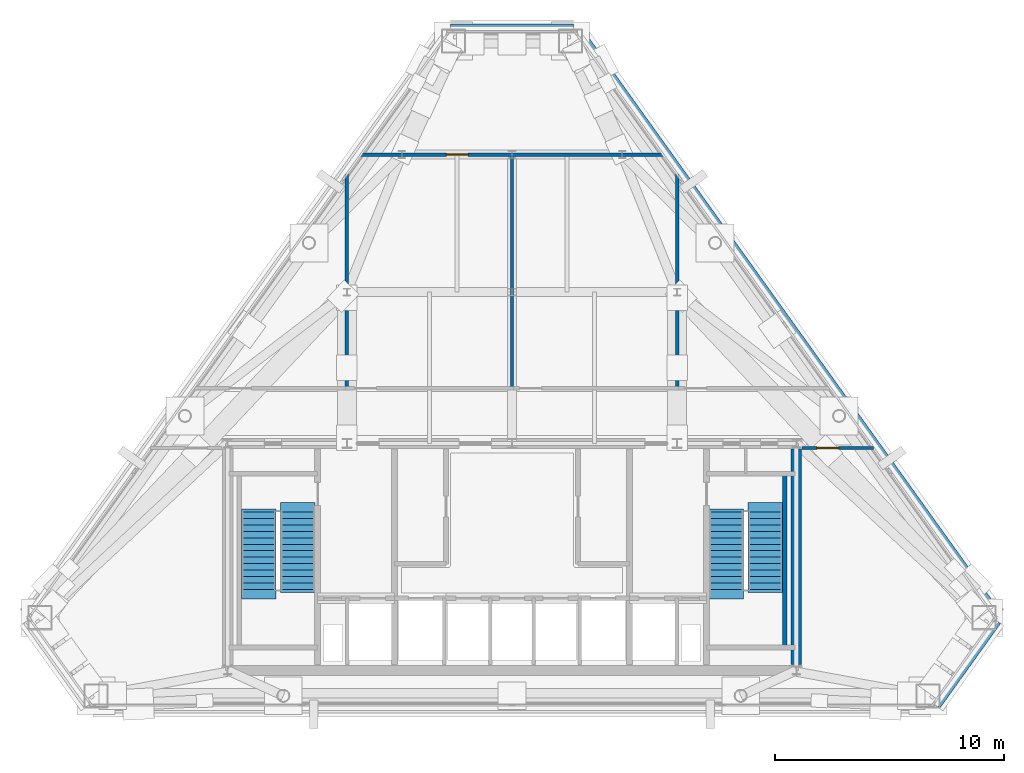
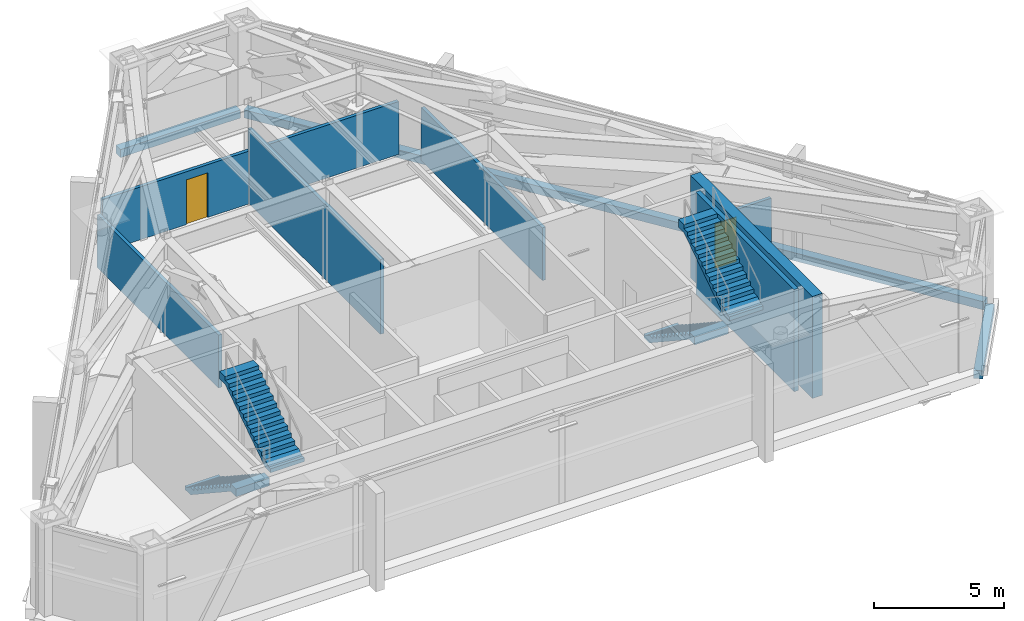
# One storey, part 7 of 9: 11 walls, 4 stair flights, 2 doors, 2 openings, 2 elements without a shape of their own.
"""IFC4 building model written with IfcOpenShell, lengths in metres."""

from ifc_helpers import new_model, si_unit, direction, frame, frame_2d, origin, place, context, subcontext, project, spatial, polyline, rectangle, outline, extrude, material, layer, layer_set, type_object, element, fill, aggregate, save


model = new_model("IFC4")

# Units and contexts
model_context = context("Model", 3, precision=1e-05, world=origin(), true_north=direction((0.0, 1.0)))
body_context = subcontext(model_context, "Body", "Model", "MODEL_VIEW")
ifc_project = project(units=[si_unit("LENGTHUNIT", "METRE"), si_unit("AREAUNIT", "SQUARE_METRE"), si_unit("VOLUMEUNIT", "CUBIC_METRE"), si_unit("PLANEANGLEUNIT", "RADIAN"), si_unit("MASSUNIT", "GRAM", prefix="KILO")], contexts=[model_context])

# Site, building, storey
site_placement = place(None, origin())
site = spatial("IfcSite", under=ifc_project, at=site_placement, CompositionType="ELEMENT")
building_placement = place(site_placement, origin())
building = spatial("IfcBuilding", under=site, at=building_placement, Name="Talgorran Terracotta Tower", CompositionType="ELEMENT")
storey_placement = place(building_placement, frame((0.0, 0.0, 244.199951171875)))
storey = spatial("IfcBuildingStorey", under=building, at=storey_placement, Name="L64", CompositionType="ELEMENT", Elevation=244.199951171875)

# Walls
ifc_material_1 = material(Name="Concrete C50/60", Category="concrete")
ifc_layer_1 = layer(ifc_material_1, 0.199951171875, Name="WT_CORE_200")
ifc_layer_set_1 = layer_set([ifc_layer_1], Name="Concrete C50/60")
wall_type_1 = type_object("IfcWallType", Name="WT_CORE_200", PredefinedType="SOLIDWALL", material=ifc_layer_set_1)
wall_1_placement = place(storey_placement, frame((11.89990234375, -13.10009765625, 0.0), z_axis=(0.0, 0.0, 1.0), x_axis=(0.0, 1.0, 0.0)))
element("IfcWall", 1, at=wall_1_placement, inside=storey, type_object=wall_type_1, Name="WL-L64-CW-ST2-E", PredefinedType="SOLIDWALL", context=body_context, shape_type="SweptSolid", body=[
    extrude(rectangle(XDim=7.580078125, YDim=0.199951171875, at=frame_2d((3.7900390625, 0.0))), origin(), (0.0, 0.0, 1.0), 4.800048828125),
])
ifc_material_2 = material(Name="Concrete C65/80", Category="concrete")
ifc_layer_2 = layer(ifc_material_2, 0.449951171875, Name="WT_CORE_EXT")
ifc_layer_set_2 = layer_set([ifc_layer_2], Name="Concrete C65/80")
wall_type_2 = type_object("IfcWallType", Name="WT_CORE_EXT", PredefinedType="SHEAR", material=ifc_layer_set_2)
wall_2_placement = place(storey_placement, frame((12.39990234375, -13.85009765625, 0.0), z_axis=(0.0, 0.0, 1.0), x_axis=(0.0, 1.0, 0.0)))
element("IfcWall", 2, at=wall_2_placement, inside=storey, type_object=wall_type_2, Name="WL-L64-CW-OUT-E", PredefinedType="SHEAR", context=body_context, shape_type="SweptSolid", body=[
    extrude(rectangle(XDim=9.400146484375, YDim=0.449951171875, at=frame_2d((4.7001953125, 0.0))), origin(), (0.0, 0.0, 1.0), 4.800048828125),
])
ifc_material_3 = material(Name="Fire-Rated Steel Stud Plasterboard", Category="steel")
ifc_layer_3 = layer(ifc_material_3, 0.14990234375, Name="WT_FIRE_150")
ifc_layer_set_3 = layer_set([ifc_layer_3], Name="Fire-Rated Steel Stud Plasterboard")
wall_type_3 = type_object("IfcWallType", Name="WT_FIRE_150", PredefinedType="PARTITIONING", material=ifc_layer_set_3)
wall_3_placement = place(storey_placement, frame((0.0, -1.800048828125, 0.0), z_axis=(0.0, 0.0, 1.0), x_axis=(0.0, 1.0, 0.0)))
element("IfcWall", 3, at=wall_3_placement, inside=storey, type_object=wall_type_3, Name="WL-L64-W-L64-R08", PredefinedType="PARTITIONING", context=body_context, shape_type="SweptSolid", body=[
    extrude(rectangle(XDim=10.199951171875, YDim=0.14990234375, at=frame_2d((5.10009765625, 0.0))), origin(), (0.0, 0.0, 1.0), 3.52001953125),
])
for number, where, z_axis, x_axis, name in (
    (4, (-7.199951171875, -1.800048828125, 0.0), (0.0, 0.0, 1.0), (0.0, 1.0, 0.0), "WL-L64-W-L64-R07"),
    (5, (7.199951171875, -1.800048828125, 0.0), (0.0, 0.0, 1.0), (0.0, 1.0, 0.0), "WL-L64-W-L64-R10"),
):
    element("IfcWall", number, at=place(storey_placement, frame(where, z_axis=z_axis, x_axis=x_axis)), inside=storey, type_object=wall_type_3, Name=name, PredefinedType="PARTITIONING", context=body_context, shape_type="SweptSolid", body=[
        extrude(rectangle(XDim=9.345703125, YDim=0.14990234375, at=frame_2d((4.6728515625, 0.0))), origin(), (0.0, 0.0, 1.0), 2.485107421875),
    ])

# Wall, opening, door
wall_4_placement = place(storey_placement, frame((-6.58740234375, 8.39990234375, 0.0), z_axis=(0.0, 0.0, 1.0), x_axis=(1.0, 0.0, 0.0)))
wall_4 = element("IfcWall", 6, at=wall_4_placement, inside=storey, type_object=wall_type_3, Name="WL-L64-W-L64-R09", PredefinedType="PARTITIONING", context=body_context, shape_type="SweptSolid", body=[
    extrude(rectangle(XDim=6.58740234375, YDim=0.14990234375, at=frame_2d((3.293701171875, 0.0))), origin(), (0.0, 0.0, 1.0), 2.485107421875),
])
opening_1_placement = place(wall_4_placement, frame((3.724853515625, 0.0, 0.0)))
opening_1 = element("IfcOpeningElement", 7, at=opening_1_placement, cuts=wall_4, Name="Opening DR-L64-R07", PredefinedType="OPENING", context=body_context, shape_type="SweptSolid", body=[
    extrude(rectangle(XDim=0.955951171875, YDim=2.10409765625, at=frame_2d((0.47509765625, 1.052001953125))), frame((0.0, 0.0849609375, 0.0), z_axis=(0.0, -1.0, 0.0), x_axis=(1.0, 0.0, 0.0)), (0.0, 0.0, 1.0), 0.169921875),
])
ifc_material_4 = material(Name="Fire-Rated Timber Core", Category="wood")
door_type = type_object("IfcDoorType", Name="DT_FIRE_950", OperationType="NOTDEFINED", PredefinedType="DOOR", material=ifc_material_4)
door_1_placement = place(opening_1_placement, origin())
door_1 = element("IfcDoor", 8, at=door_1_placement, inside=storey, type_object=door_type, Name="DR-L64-R07", OperationType="SINGLE_SWING_LEFT", OverallHeight=2.10009765625, OverallWidth=0.949951171875, PredefinedType="DOOR", context=body_context, shape_type="SweptSolid", body=[
    extrude(rectangle(XDim=0.949951171875, YDim=2.10009765625, at=frame_2d((0.47509765625, 1.050048828125))), frame((0.0, 0.02490234375, 0.0), z_axis=(0.0, -1.0, 0.0), x_axis=(1.0, 0.0, 0.0)), (0.0, 0.0, 1.0), 0.050048828125),
])
fill(opening_1, door_1)

# Wall
wall_5_placement = place(storey_placement, frame((0.0, 8.39990234375, 0.0), z_axis=(0.0, 0.0, 1.0), x_axis=(1.0, 0.0, 0.0)))
element("IfcWall", 9, at=wall_5_placement, inside=storey, type_object=wall_type_3, Name="WL-L64-W-L64-R11", PredefinedType="PARTITIONING", context=body_context, shape_type="SweptSolid", body=[
    extrude(rectangle(XDim=6.58740234375, YDim=0.14990234375, at=frame_2d((3.293701171875, 0.0))), origin(), (0.0, 0.0, 1.0), 2.485107421875),
])

# Wall, opening, door
wall_6_placement = place(storey_placement, frame((12.652099609375, -4.39990234375, 0.0), z_axis=(0.0, 0.0, 1.0), x_axis=(1.0, 0.0, 0.0)))
wall_6 = element("IfcWall", 10, at=wall_6_placement, inside=storey, type_object=wall_type_3, Name="WL-L64-W-L64-R02", PredefinedType="PARTITIONING", context=body_context, shape_type="SweptSolid", body=[
    extrude(rectangle(XDim=3.1123046875, YDim=0.14990234375, at=frame_2d((1.55615234375, 0.0))), origin(), (0.0, 0.0, 1.0), 2.485107421875),
])
opening_2_placement = place(wall_6_placement, frame((0.644287109375, 0.0, 0.0)))
opening_2 = element("IfcOpeningElement", 11, at=opening_2_placement, cuts=wall_6, Name="Opening DR-L64-R02", PredefinedType="OPENING", context=body_context, shape_type="SweptSolid", body=[
    extrude(rectangle(XDim=0.955951171875, YDim=2.10409765625, at=frame_2d((0.47509765625, 1.052001953125))), frame((0.0, 0.0849609375, 0.0), z_axis=(0.0, -1.0, 0.0), x_axis=(1.0, 0.0, 0.0)), (0.0, 0.0, 1.0), 0.169921875),
])
door_2_placement = place(opening_2_placement, origin())
door_2 = element("IfcDoor", 12, at=door_2_placement, inside=storey, type_object=door_type, Name="DR-L64-R02", OperationType="SINGLE_SWING_RIGHT", OverallHeight=2.10009765625, OverallWidth=0.949951171875, PredefinedType="DOOR", context=body_context, shape_type="SweptSolid", body=[
    extrude(rectangle(XDim=0.949951171875, YDim=2.10009765625, at=frame_2d((0.47509765625, 1.050048828125))), frame((0.0, 0.02490234375, 0.0), z_axis=(0.0, -1.0, 0.0), x_axis=(1.0, 0.0, 0.0)), (0.0, 0.0, 1.0), 0.050048828125),
])
fill(opening_2, door_2)

# Walls
ifc_material_5 = material(Name="Concrete C40/50", Category="concrete")
ifc_layer_4 = layer(ifc_material_5, 0.219970703125, Name="WT_PARAPET_RC")
ifc_layer_set_4 = layer_set([ifc_layer_4], Name="Concrete C40/50")
wall_type_4 = type_object("IfcWallType", Name="WT_PARAPET_RC", PredefinedType="PARAPET", material=ifc_layer_set_4)
wall_7_placement = place(storey_placement, frame((18.519287109375, -15.635986328125, -0.199951171875), z_axis=(0.0, 0.0, 1.0), x_axis=(0.582656829422, 0.81271829014, 0.0)))
element("IfcWall", 13, at=wall_7_placement, inside=storey, type_object=wall_type_4, Name="L64 Striped Portal Precast Cornice F2", PredefinedType="PARAPET", context=body_context, shape_type="SweptSolid", body=[
    extrude(rectangle(XDim=4.522705078125, YDim=0.360107421875, at=frame_2d((2.26123046875, 0.0))), origin(), (0.0, 0.0, 1.0), 0.3798828125),
])
wall_8_placement = place(storey_placement, frame((21.154541015625, -11.643798828125, -0.199951171875), z_axis=(0.0, 0.0, 1.0), x_axis=(-0.582665985036, 0.812711726187, 0.0)))
element("IfcWall", 14, at=wall_8_placement, inside=storey, type_object=wall_type_4, Name="L64 Striped Portal Precast Cornice F3", PredefinedType="PARAPET", context=body_context, shape_type="SweptSolid", body=[
    extrude(rectangle(XDim=31.27880859375, YDim=0.360107421875, at=frame_2d((15.639404296875, 0.0))), origin(), (0.0, 0.0, 1.0), 0.3798828125),
])
wall_9_placement = place(storey_placement, frame((2.6728515625, 13.90869140625, -0.199951171875), z_axis=(0.0, 0.0, 1.0), x_axis=(-1.0, 0.0, 0.0)))
element("IfcWall", 15, at=wall_9_placement, inside=storey, type_object=wall_type_4, Name="L64 Striped Portal Precast Cornice F4", PredefinedType="PARAPET", context=body_context, shape_type="SweptSolid", body=[
    extrude(rectangle(XDim=5.345703125, YDim=0.360107421875, at=frame_2d((2.6728515625, 0.0))), origin(), (0.0, 0.0, 1.0), 0.3798828125),
])

# Stair, stair flights
stair_type = type_object("IfcStairType", Name="ST_FIRE_SCISSOR", PredefinedType="HALF_TURN_STAIR", material=ifc_material_5)
stair_1_placement = place(storey_placement, origin())
stair_1 = element("IfcStair", 16, at=stair_1_placement, inside=storey, type_object=stair_type, Name="L64 West Protected Fire Stair ST-01", PredefinedType="HALF_TURN_STAIR")
ifc_layer_5 = layer(ifc_material_5, 0.179931640625, Name="STF_RC_1500")
ifc_layer_set_5 = layer_set([ifc_layer_5], Name="Concrete C40/50")
stair_flight_type = type_object("IfcStairFlightType", Name="STF_RC_1500", PredefinedType="STRAIGHT", material=ifc_layer_set_5)
stair_flight_1_placement = place(storey_placement, frame((-11.050048828125, -7.199951171875, 0.0), z_axis=(0.0, 0.0, 1.0), x_axis=(0.0, -1.0, 0.0)))
stair_flight_1 = element("IfcStairFlight", 17, at=stair_flight_1_placement, type_object=stair_flight_type, Name="ST-01 flight 1", NumberOfRisers=13, NumberOfTreads=12, PredefinedType="STRAIGHT", RiserHeight=0.184615385, TreadLength=0.28, context=body_context, shape_type="SweptSolid", body=[
    extrude(outline(polyline([(-0.139892578125, 0.0), (-0.139892578125, 0.1845703125), (0.0, 0.1845703125), (0.280029296875, 0.369140625), (0.56005859375, 0.369140625), (0.56005859375, 0.553955078125), (0.840087890625, 0.553955078125), (0.840087890625, 0.738525390625), (1.1201171875, 0.738525390625), (1.1201171875, 0.923095703125), (1.39990234375, 0.923095703125), (1.39990234375, 1.107666015625), (1.679931640625, 1.107666015625), (1.679931640625, 1.292236328125), (1.9599609375, 1.292236328125), (1.9599609375, 1.476806640625), (2.239990234375, 1.476806640625), (2.239990234375, 1.66162109375), (2.52001953125, 1.66162109375), (2.52001953125, 1.84619140625), (2.800048828125, 1.84619140625), (2.800048828125, 2.03076171875), (3.080078125, 2.03076171875), (3.080078125, 2.21533203125), (3.360107421875, 2.21533203125), (3.360107421875, 2.39990234375), (3.780029296875, 2.39990234375), (3.780029296875, 2.035888671875), (3.360107421875, 2.035888671875), (0.272216796875, 0.0), (-0.139892578125, 0.0)])), frame((0.0, 0.75, 0.0), z_axis=(0.0, -1.0, 0.0), x_axis=(1.0, 0.0, 0.0)), (0.0, 0.0, 1.0), 1.5),
])
stair_flight_2_placement = place(storey_placement, frame((-9.35009765625, -10.56005859375, 2.400146484375), z_axis=(0.0, 0.0, 1.0), x_axis=(0.0, 1.0, 0.0)))
stair_flight_2 = element("IfcStairFlight", 18, at=stair_flight_2_placement, type_object=stair_flight_type, Name="ST-01 flight 2", NumberOfRisers=13, NumberOfTreads=12, PredefinedType="STRAIGHT", RiserHeight=0.184615385, TreadLength=0.28, context=body_context, shape_type="SweptSolid", body=[
    extrude(outline(polyline([(-0.139892578125, 0.0), (-0.139892578125, 0.1845703125), (0.0, 0.1845703125), (0.280029296875, 0.369140625), (0.56005859375, 0.369140625), (0.56005859375, 0.553955078125), (0.840087890625, 0.553955078125), (0.840087890625, 0.738525390625), (1.1201171875, 0.738525390625), (1.1201171875, 0.923095703125), (1.39990234375, 0.923095703125), (1.39990234375, 1.107666015625), (1.679931640625, 1.107666015625), (1.679931640625, 1.292236328125), (1.9599609375, 1.292236328125), (1.9599609375, 1.476806640625), (2.239990234375, 1.476806640625), (2.239990234375, 1.66162109375), (2.52001953125, 1.66162109375), (2.52001953125, 1.84619140625), (2.800048828125, 1.84619140625), (2.800048828125, 2.03076171875), (3.080078125, 2.03076171875), (3.080078125, 2.21533203125), (3.360107421875, 2.21533203125), (3.360107421875, 2.39990234375), (3.780029296875, 2.39990234375), (3.780029296875, 2.035888671875), (3.360107421875, 2.035888671875), (0.272216796875, 0.0), (-0.139892578125, 0.0)])), frame((0.0, 0.75, 0.0), z_axis=(0.0, -1.0, 0.0), x_axis=(1.0, 0.0, 0.0)), (0.0, 0.0, 1.0), 1.5),
])
aggregate(stair_1, [stair_flight_1, stair_flight_2])

stair_2_placement = place(storey_placement, origin())
stair_2 = element("IfcStair", 19, at=stair_2_placement, inside=storey, type_object=stair_type, Name="L64 East Protected Fire Stair ST-02", PredefinedType="HALF_TURN_STAIR")
stair_flight_3_placement = place(storey_placement, frame((9.35009765625, -7.199951171875, 0.0), z_axis=(0.0, 0.0, 1.0), x_axis=(0.0, -1.0, 0.0)))
stair_flight_3 = element("IfcStairFlight", 20, at=stair_flight_3_placement, type_object=stair_flight_type, Name="ST-02 flight 1", NumberOfRisers=13, NumberOfTreads=12, PredefinedType="STRAIGHT", RiserHeight=0.184615385, TreadLength=0.28, context=body_context, shape_type="SweptSolid", body=[
    extrude(outline(polyline([(-0.139892578125, 0.0), (-0.139892578125, 0.1845703125), (0.0, 0.1845703125), (0.280029296875, 0.369140625), (0.56005859375, 0.369140625), (0.56005859375, 0.553955078125), (0.840087890625, 0.553955078125), (0.840087890625, 0.738525390625), (1.1201171875, 0.738525390625), (1.1201171875, 0.923095703125), (1.39990234375, 0.923095703125), (1.39990234375, 1.107666015625), (1.679931640625, 1.107666015625), (1.679931640625, 1.292236328125), (1.9599609375, 1.292236328125), (1.9599609375, 1.476806640625), (2.239990234375, 1.476806640625), (2.239990234375, 1.66162109375), (2.52001953125, 1.66162109375), (2.52001953125, 1.84619140625), (2.800048828125, 1.84619140625), (2.800048828125, 2.03076171875), (3.080078125, 2.03076171875), (3.080078125, 2.21533203125), (3.360107421875, 2.21533203125), (3.360107421875, 2.39990234375), (3.780029296875, 2.39990234375), (3.780029296875, 2.035888671875), (3.360107421875, 2.035888671875), (0.272216796875, 0.0), (-0.139892578125, 0.0)])), frame((0.0, 0.75, 0.0), z_axis=(0.0, -1.0, 0.0), x_axis=(1.0, 0.0, 0.0)), (0.0, 0.0, 1.0), 1.5),
])
stair_flight_4_placement = place(storey_placement, frame((11.050048828125, -10.56005859375, 2.400146484375), z_axis=(0.0, 0.0, 1.0), x_axis=(0.0, 1.0, 0.0)))
stair_flight_4 = element("IfcStairFlight", 21, at=stair_flight_4_placement, type_object=stair_flight_type, Name="ST-02 flight 2", NumberOfRisers=13, NumberOfTreads=12, PredefinedType="STRAIGHT", RiserHeight=0.184615385, TreadLength=0.28, context=body_context, shape_type="SweptSolid", body=[
    extrude(outline(polyline([(-0.139892578125, 0.0), (-0.139892578125, 0.1845703125), (0.0, 0.1845703125), (0.280029296875, 0.369140625), (0.56005859375, 0.369140625), (0.56005859375, 0.553955078125), (0.840087890625, 0.553955078125), (0.840087890625, 0.738525390625), (1.1201171875, 0.738525390625), (1.1201171875, 0.923095703125), (1.39990234375, 0.923095703125), (1.39990234375, 1.107666015625), (1.679931640625, 1.107666015625), (1.679931640625, 1.292236328125), (1.9599609375, 1.292236328125), (1.9599609375, 1.476806640625), (2.239990234375, 1.476806640625), (2.239990234375, 1.66162109375), (2.52001953125, 1.66162109375), (2.52001953125, 1.84619140625), (2.800048828125, 1.84619140625), (2.800048828125, 2.03076171875), (3.080078125, 2.03076171875), (3.080078125, 2.21533203125), (3.360107421875, 2.21533203125), (3.360107421875, 2.39990234375), (3.780029296875, 2.39990234375), (3.780029296875, 2.035888671875), (3.360107421875, 2.035888671875), (0.272216796875, 0.0), (-0.139892578125, 0.0)])), frame((0.0, 0.75, 0.0), z_axis=(0.0, -1.0, 0.0), x_axis=(1.0, 0.0, 0.0)), (0.0, 0.0, 1.0), 1.5),
])
aggregate(stair_2, [stair_flight_3, stair_flight_4])

save(model, "model.ifc")
